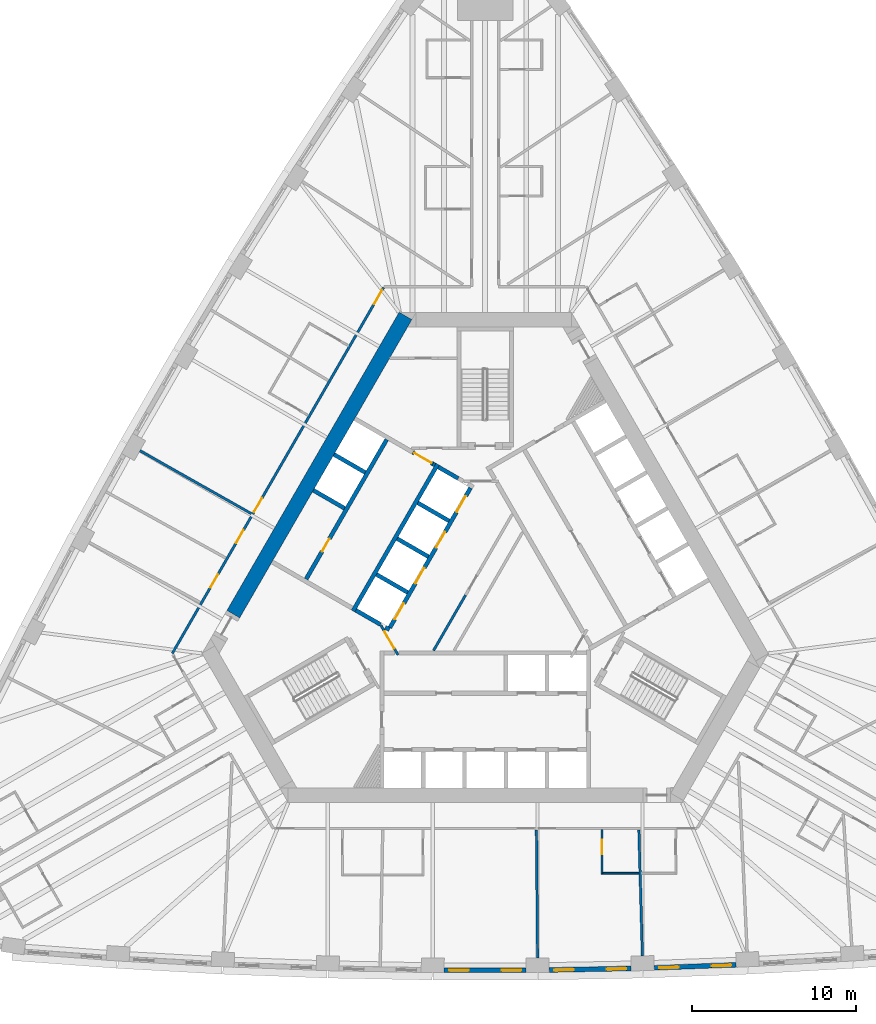
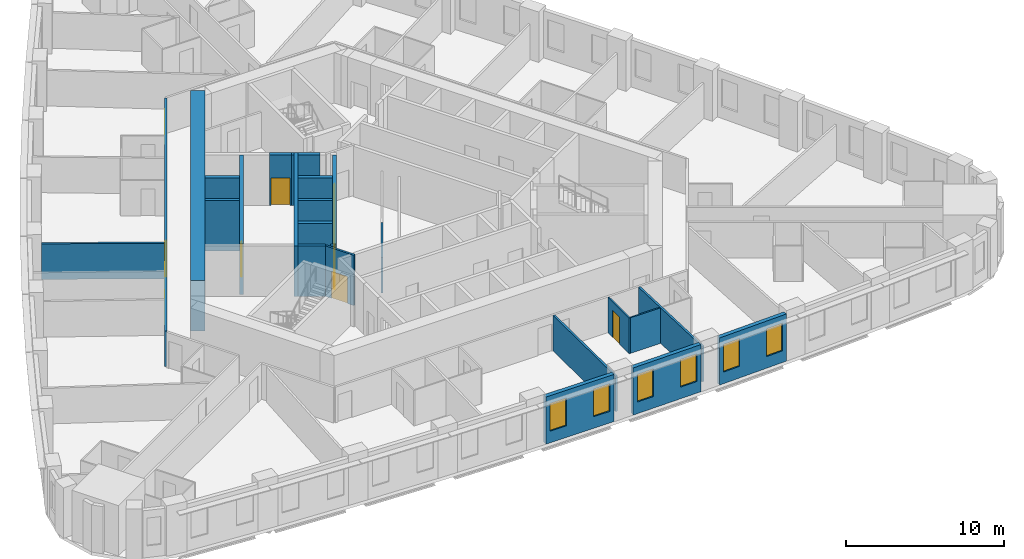
# One storey, part 5 of 12: 25 walls, 12 doors, 6 windows, 18 openings.
"""IFC4 building model written with IfcOpenShell, lengths in metres."""

from ifc_helpers import new_model, si_unit, direction, frame, frame_2d, origin, place, context, subcontext, project, spatial, polyline, rectangle, outline, extrude, material, layer, layer_set, type_object, element, fill, save


model = new_model("IFC4")

# Units and contexts
model_context = context("Model", 3, precision=1e-05, world=origin(), true_north=direction((0.0, 1.0)))
body_context = subcontext(model_context, "Body", "Model", "MODEL_VIEW")
ifc_project = project(units=[si_unit("LENGTHUNIT", "METRE"), si_unit("AREAUNIT", "SQUARE_METRE"), si_unit("VOLUMEUNIT", "CUBIC_METRE"), si_unit("PLANEANGLEUNIT", "RADIAN"), si_unit("MASSUNIT", "GRAM", prefix="KILO")], contexts=[model_context])

# Site, building, storey
site_placement = place(None, origin())
site = spatial("IfcSite", under=ifc_project, at=site_placement, CompositionType="ELEMENT")
building_placement = place(site_placement, origin())
building = spatial("IfcBuilding", under=site, at=building_placement, Name="Mestral Congress Tower", CompositionType="ELEMENT")
storey_placement = place(building_placement, frame((0.0, 0.0, 66.60009765625)))
storey = spatial("IfcBuildingStorey", under=building, at=storey_placement, Name="L15", CompositionType="ELEMENT", Elevation=66.60009765625)

# Walls
ifc_material_1 = material(Name="Fire-rated board partition")
ifc_layer_1 = layer(ifc_material_1, 0.14990234375)
ifc_layer_set_1 = layer_set([ifc_layer_1], Name="Fire-rated board partition")
wall_type_1 = type_object("IfcWallType", Name="Core partition 150", PredefinedType="PARTITIONING", material=ifc_layer_set_1)
wall_1_placement = place(storey_placement, frame((-3.146728515625, -3.71826171875, 0.0), z_axis=(0.0, 0.0, 1.0), x_axis=(0.500010131483, 0.866019554291, 0.0)))
element("IfcWall", 1, at=wall_1_placement, inside=storey, type_object=wall_type_1, Name="L15 core wall", PredefinedType="PARTITIONING", context=body_context, shape_type="SweptSolid", body=[
    extrude(rectangle(XDim=3.8935546875, YDim=0.14990234375, at=frame_2d((1.94677734375, 0.0))), origin(), (0.0, 0.0, 1.0), 2.75),
])
ifc_material_2 = material(Name="Concrete C60/75", Category="concrete")
ifc_layer_2 = layer(ifc_material_2, 0.89990234375)
ifc_layer_set_2 = layer_set([ifc_layer_2], Name="Concrete C60/75")
wall_type_2 = type_object("IfcWallType", Name="Core wall RC 900", PredefinedType="SOLIDWALL", material=ifc_layer_set_2)
wall_2_placement = place(storey_placement, frame((-15.359619140625, -1.50341796875, 0.0), z_axis=(0.0, 0.0, 1.0), x_axis=(0.50000389221, 0.866023156604, 0.0)))
element("IfcWall", 2, at=wall_2_placement, inside=storey, type_object=wall_type_2, Name="L15 core wall", PredefinedType="SOLIDWALL", context=body_context, shape_type="SweptSolid", body=[
    extrude(rectangle(XDim=21.000244140625, YDim=0.89990234375, at=frame_2d((10.5, 0.0))), origin(), (0.0, 0.0, 1.0), 3.89990234375),
])

# Wall, openings, windows
ifc_material_3 = material(Name="Precast concrete C40/50 with limestone facing", Category="masonry")
ifc_layer_3 = layer(ifc_material_3, 0.2900390625)
ifc_layer_set_3 = layer_set([ifc_layer_3], Name="Precast concrete C40/50 with limestone facing")
wall_type_3 = type_object("IfcWallType", Name="Facade stone wall 290", PredefinedType="SOLIDWALL", material=ifc_layer_set_3)
wall_3_placement = place(storey_placement, frame((-2.4990234375, -23.21826171875, 0.0), z_axis=(0.0, 0.0, 1.0), x_axis=(1.0, 0.0, 0.0)))
wall_3 = element("IfcWall", 3, at=wall_3_placement, inside=storey, type_object=wall_type_3, Name="Facade wall F0-04", PredefinedType="SOLIDWALL", context=body_context, shape_type="SweptSolid", body=[
    extrude(rectangle(XDim=4.998046875, YDim=0.2900390625, at=frame_2d((2.4990234375, 0.0))), origin(), (0.0, 0.0, 1.0), 3.64990234375),
])
opening_1_placement = place(wall_3_placement, frame((0.297119140625, 0.0, 0.89990234375)))
opening_1 = element("IfcOpeningElement", 4, at=opening_1_placement, cuts=wall_3, Name="Opening W1", PredefinedType="OPENING", context=body_context, shape_type="SweptSolid", body=[
    extrude(rectangle(XDim=1.199951171875, YDim=2.14990234375, at=frame_2d((0.60009765625, 1.074951171875))), frame((0.0, 0.155029296875, 0.0), z_axis=(0.0, -1.0, 0.0), x_axis=(1.0, 0.0, 0.0)), (0.0, 0.0, 1.0), 0.31005859375),
])
opening_2_placement = place(wall_3_placement, frame((3.501220703125, 0.0, 0.89990234375)))
opening_2 = element("IfcOpeningElement", 5, at=opening_2_placement, cuts=wall_3, Name="Opening W1", PredefinedType="OPENING", context=body_context, shape_type="SweptSolid", body=[
    extrude(rectangle(XDim=1.199951171875, YDim=2.14990234375, at=frame_2d((0.60009765625, 1.074951171875))), frame((0.0, 0.155029296875, 0.0), z_axis=(0.0, -1.0, 0.0), x_axis=(1.0, 0.0, 0.0)), (0.0, 0.0, 1.0), 0.31005859375),
])
ifc_material_4 = material(Name="Clear low-emissivity double glazing", Category="glass")
window_type = type_object("IfcWindowType", Name="Facade punched window 1200 x 2150 sill 900", PartitioningType="DOUBLE_PANEL_VERTICAL", PredefinedType="WINDOW", material=ifc_material_4)
window_1_placement = place(opening_1_placement, origin())
window_1 = element("IfcWindow", 6, at=window_1_placement, inside=storey, type_object=window_type, Name="Window F0-04a", OverallHeight=2.14990234375, OverallWidth=1.199951171875, PartitioningType="DOUBLE_PANEL_VERTICAL", PredefinedType="WINDOW", context=body_context, shape_type="SweptSolid", body=[
    extrude(rectangle(XDim=1.199951171875, YDim=2.14990234375, at=frame_2d((0.60009765625, 1.074951171875))), frame((0.0, 0.01513671875, 0.0), z_axis=(0.0, -1.0, 0.0), x_axis=(1.0, 0.0, 0.0)), (0.0, 0.0, 1.0), 0.06005859375),
])
fill(opening_1, window_1)
window_2_placement = place(opening_2_placement, origin())
window_2 = element("IfcWindow", 7, at=window_2_placement, inside=storey, type_object=window_type, Name="Window F0-04b", OverallHeight=2.14990234375, OverallWidth=1.199951171875, PartitioningType="DOUBLE_PANEL_VERTICAL", PredefinedType="WINDOW", context=body_context, shape_type="SweptSolid", body=[
    extrude(rectangle(XDim=1.199951171875, YDim=2.14990234375, at=frame_2d((0.60009765625, 1.074951171875))), frame((0.0, 0.01513671875, 0.0), z_axis=(0.0, -1.0, 0.0), x_axis=(1.0, 0.0, 0.0)), (0.0, 0.0, 1.0), 0.06005859375),
])
fill(opening_2, window_2)

wall_4_placement = place(storey_placement, frame((3.90625, -23.205078125, 0.0), z_axis=(0.0, 0.0, 1.0), x_axis=(0.999829529479, 0.018463801951, 0.0)))
wall_4 = element("IfcWall", 8, at=wall_4_placement, inside=storey, type_object=wall_type_3, Name="Facade wall F0-05", PredefinedType="SOLIDWALL", context=body_context, shape_type="SweptSolid", body=[
    extrude(rectangle(XDim=4.998046875, YDim=0.2900390625, at=frame_2d((2.4990234375, 0.0))), origin(), (0.0, 0.0, 1.0), 3.64990234375),
])
opening_3_placement = place(wall_4_placement, frame((0.297119140625, 0.0, 0.89990234375)))
opening_3 = element("IfcOpeningElement", 9, at=opening_3_placement, cuts=wall_4, Name="Opening W1", PredefinedType="OPENING", context=body_context, shape_type="SweptSolid", body=[
    extrude(rectangle(XDim=1.199951171875, YDim=2.14990234375, at=frame_2d((0.60009765625, 1.074951171875))), frame((0.0, 0.155029296875, 0.0), z_axis=(0.0, -1.0, 0.0), x_axis=(1.0, 0.0, 0.0)), (0.0, 0.0, 1.0), 0.31005859375),
])
opening_4_placement = place(wall_4_placement, frame((3.501220703125, 0.0, 0.89990234375)))
opening_4 = element("IfcOpeningElement", 10, at=opening_4_placement, cuts=wall_4, Name="Opening W1", PredefinedType="OPENING", context=body_context, shape_type="SweptSolid", body=[
    extrude(rectangle(XDim=1.199951171875, YDim=2.14990234375, at=frame_2d((0.60009765625, 1.074951171875))), frame((0.0, 0.155029296875, 0.0), z_axis=(0.0, -1.0, 0.0), x_axis=(1.0, 0.0, 0.0)), (0.0, 0.0, 1.0), 0.31005859375),
])
window_3_placement = place(opening_3_placement, origin())
window_3 = element("IfcWindow", 11, at=window_3_placement, inside=storey, type_object=window_type, Name="Window F0-05a", OverallHeight=2.14990234375, OverallWidth=1.199951171875, PartitioningType="DOUBLE_PANEL_VERTICAL", PredefinedType="WINDOW", context=body_context, shape_type="SweptSolid", body=[
    extrude(rectangle(XDim=1.199951171875, YDim=2.14990234375, at=frame_2d((0.60009765625, 1.074951171875))), frame((0.0, 0.01513671875, 0.0), z_axis=(0.0, -1.0, 0.0), x_axis=(1.0, 0.0, 0.0)), (0.0, 0.0, 1.0), 0.06005859375),
])
fill(opening_3, window_3)
window_4_placement = place(opening_4_placement, origin())
window_4 = element("IfcWindow", 12, at=window_4_placement, inside=storey, type_object=window_type, Name="Window F0-05b", OverallHeight=2.14990234375, OverallWidth=1.199951171875, PartitioningType="DOUBLE_PANEL_VERTICAL", PredefinedType="WINDOW", context=body_context, shape_type="SweptSolid", body=[
    extrude(rectangle(XDim=1.199951171875, YDim=2.14990234375, at=frame_2d((0.60009765625, 1.074951171875))), frame((0.0, 0.01513671875, 0.0), z_axis=(0.0, -1.0, 0.0), x_axis=(1.0, 0.0, 0.0)), (0.0, 0.0, 1.0), 0.06005859375),
])
fill(opening_4, window_4)

wall_5_placement = place(storey_placement, frame((10.310302734375, -23.07373046875, 0.0), z_axis=(0.0, 0.0, 1.0), x_axis=(0.999317974969, 0.036926750529, 0.0)))
wall_5 = element("IfcWall", 13, at=wall_5_placement, inside=storey, type_object=wall_type_3, Name="Facade wall F0-06", PredefinedType="SOLIDWALL", context=body_context, shape_type="SweptSolid", body=[
    extrude(rectangle(XDim=4.998291015625, YDim=0.2900390625, at=frame_2d((2.4990234375, 0.0))), origin(), (0.0, 0.0, 1.0), 3.64990234375),
])
opening_5_placement = place(wall_5_placement, frame((0.297119140625, 0.0, 0.89990234375)))
opening_5 = element("IfcOpeningElement", 14, at=opening_5_placement, cuts=wall_5, Name="Opening W1", PredefinedType="OPENING", context=body_context, shape_type="SweptSolid", body=[
    extrude(rectangle(XDim=1.199951171875, YDim=2.14990234375, at=frame_2d((0.60009765625, 1.074951171875))), frame((0.0, 0.155029296875, 0.0), z_axis=(0.0, -1.0, 0.0), x_axis=(1.0, 0.0, 0.0)), (0.0, 0.0, 1.0), 0.31005859375),
])
opening_6_placement = place(wall_5_placement, frame((3.501220703125, 0.0, 0.89990234375)))
opening_6 = element("IfcOpeningElement", 15, at=opening_6_placement, cuts=wall_5, Name="Opening W1", PredefinedType="OPENING", context=body_context, shape_type="SweptSolid", body=[
    extrude(rectangle(XDim=1.199951171875, YDim=2.14990234375, at=frame_2d((0.60009765625, 1.074951171875))), frame((0.0, 0.155029296875, 0.0), z_axis=(0.0, -1.0, 0.0), x_axis=(1.0, 0.0, 0.0)), (0.0, 0.0, 1.0), 0.31005859375),
])
window_5_placement = place(opening_5_placement, origin())
window_5 = element("IfcWindow", 16, at=window_5_placement, inside=storey, type_object=window_type, Name="Window F0-06a", OverallHeight=2.14990234375, OverallWidth=1.199951171875, PartitioningType="DOUBLE_PANEL_VERTICAL", PredefinedType="WINDOW", context=body_context, shape_type="SweptSolid", body=[
    extrude(rectangle(XDim=1.199951171875, YDim=2.14990234375, at=frame_2d((0.60009765625, 1.074951171875))), frame((0.0, 0.01513671875, 0.0), z_axis=(0.0, -1.0, 0.0), x_axis=(1.0, 0.0, 0.0)), (0.0, 0.0, 1.0), 0.06005859375),
])
fill(opening_5, window_5)
window_6_placement = place(opening_6_placement, origin())
window_6 = element("IfcWindow", 17, at=window_6_placement, inside=storey, type_object=window_type, Name="Window F0-06b", OverallHeight=2.14990234375, OverallWidth=1.199951171875, PartitioningType="DOUBLE_PANEL_VERTICAL", PredefinedType="WINDOW", context=body_context, shape_type="SweptSolid", body=[
    extrude(rectangle(XDim=1.199951171875, YDim=2.14990234375, at=frame_2d((0.60009765625, 1.074951171875))), frame((0.0, 0.01513671875, 0.0), z_axis=(0.0, -1.0, 0.0), x_axis=(1.0, 0.0, 0.0)), (0.0, 0.0, 1.0), 0.06005859375),
])
fill(opening_6, window_6)

# Wall, opening, door
ifc_material_5 = material(Name="Gypsum board partition on metal studs with mineral wool", Category="composite")
ifc_layer_4 = layer(ifc_material_5, 0.10009765625)
ifc_layer_set_4 = layer_set([ifc_layer_4], Name="Gypsum board partition on metal studs with mineral wool")
wall_type_4 = type_object("IfcWallType", Name="Hotel partition wall 100", PredefinedType="PARTITIONING", material=ifc_layer_set_4)
wall_6_placement = place(storey_placement, frame((7.119140625, -14.64990234375, 0.0), z_axis=(0.0, 0.0, 1.0), x_axis=(0.0, -1.0, 0.0)))
wall_6 = element("IfcWall", 18, at=wall_6_placement, inside=storey, type_object=wall_type_4, Name="L15-h-pod04a", PredefinedType="PARTITIONING", context=body_context, shape_type="SweptSolid", body=[
    extrude(rectangle(XDim=2.7001953125, YDim=0.10009765625, at=frame_2d((1.35009765625, 0.0))), origin(), (0.0, 0.0, 1.0), 2.75),
])
opening_7_placement = place(wall_6_placement, frame((0.60009765625, 0.0, 0.0)))
opening_7 = element("IfcOpeningElement", 19, at=opening_7_placement, cuts=wall_6, Name="Opening H04-008", PredefinedType="OPENING", context=body_context, shape_type="SweptSolid", body=[
    extrude(rectangle(XDim=0.89990234375, YDim=2.10009765625, at=frame_2d((0.449951171875, 1.050048828125))), frame((0.0, 0.06005859375, 0.0), z_axis=(0.0, -1.0, 0.0), x_axis=(1.0, 0.0, 0.0)), (0.0, 0.0, 1.0), 0.1201171875),
])
ifc_material_6 = material(Name="Timber veneer door leaf in timber frame", Category="wood")
door_type_1 = type_object("IfcDoorType", Name="Bathroom door 900", OperationType="SINGLE_SWING_LEFT", PredefinedType="DOOR", material=ifc_material_6)
door_1_placement = place(opening_7_placement, origin())
door_1 = element("IfcDoor", 20, at=door_1_placement, inside=storey, type_object=door_type_1, Name="L15-h-d008", OperationType="SINGLE_SWING_LEFT", OverallHeight=2.10009765625, OverallWidth=0.89990234375, PredefinedType="DOOR", context=body_context, shape_type="SweptSolid", body=[
    extrude(rectangle(XDim=0.89990234375, YDim=2.10009765625, at=frame_2d((0.449951171875, 1.050048828125))), frame((0.0, 0.02490234375, 0.0), z_axis=(0.0, -1.0, 0.0), x_axis=(1.0, 0.0, 0.0)), (0.0, 0.0, 1.0), 0.050048828125),
])
fill(opening_7, door_1)

# Wall
wall_7_placement = place(storey_placement, frame((7.169189453125, -17.300048828125, 0.0), z_axis=(0.0, 0.0, 1.0), x_axis=(1.0, 0.0, 0.0)))
element("IfcWall", 21, at=wall_7_placement, inside=storey, type_object=wall_type_4, Name="L15-h-pod04b", PredefinedType="PARTITIONING", context=body_context, shape_type="SweptSolid", body=[
    extrude(rectangle(XDim=2.199951171875, YDim=0.10009765625, at=frame_2d((1.10009765625, 0.0))), origin(), (0.0, 0.0, 1.0), 2.75),
])

# Wall, openings, doors
ifc_layer_5 = layer(ifc_material_5, 0.14990234375)
ifc_layer_set_5 = layer_set([ifc_layer_5], Name="Gypsum board partition on metal studs with mineral wool")
wall_type_5 = type_object("IfcWallType", Name="Hotel partition wall 150", PredefinedType="PARTITIONING", material=ifc_layer_set_5)
wall_8_placement = place(storey_placement, frame((-19.081298828125, -3.89990234375, 0.0), z_axis=(0.0, 0.0, 1.0), x_axis=(0.499998313975, 0.866026377209, 0.0)))
wall_8 = element("IfcWall", 22, at=wall_8_placement, inside=storey, type_object=wall_type_5, Name="L15-h-cw08", PredefinedType="PARTITIONING", context=body_context, shape_type="SweptSolid", body=[
    extrude(rectangle(XDim=25.76611328125, YDim=0.14990234375, at=frame_2d((12.883056640625, 0.0))), origin(), (0.0, 0.0, 1.0), 2.75),
])
opening_8_placement = place(wall_8_placement, frame((24.58642578125, 0.0, 0.0)))
opening_8 = element("IfcOpeningElement", 23, at=opening_8_placement, cuts=wall_8, Name="Opening H04-035", PredefinedType="OPENING", context=body_context, shape_type="SweptSolid", body=[
    extrude(rectangle(XDim=1.0, YDim=2.10009765625, at=frame_2d((0.5, 1.050048828125))), frame((0.0, 0.0849609375, 0.0), z_axis=(0.0, -1.0, 0.0), x_axis=(1.0, 0.0, 0.0)), (0.0, 0.0, 1.0), 0.169921875),
])
opening_9_placement = place(wall_8_placement, frame((9.94775390625, 0.0, 0.0)))
opening_9 = element("IfcOpeningElement", 24, at=opening_9_placement, cuts=wall_8, Name="Opening H04-037", PredefinedType="OPENING", context=body_context, shape_type="SweptSolid", body=[
    extrude(rectangle(XDim=1.0, YDim=2.10009765625, at=frame_2d((0.5, 1.050048828125))), frame((0.0, 0.0849609375, 0.0), z_axis=(0.0, -1.0, 0.0), x_axis=(1.0, 0.0, 0.0)), (0.0, 0.0, 1.0), 0.169921875),
])
opening_10_placement = place(wall_8_placement, frame((7.7822265625, 0.0, 0.0)))
opening_10 = element("IfcOpeningElement", 25, at=opening_10_placement, cuts=wall_8, Name="Opening H04-039", PredefinedType="OPENING", context=body_context, shape_type="SweptSolid", body=[
    extrude(rectangle(XDim=0.89990234375, YDim=2.10009765625, at=frame_2d((0.449951171875, 1.050048828125))), frame((0.0, 0.0849609375, 0.0), z_axis=(0.0, -1.0, 0.0), x_axis=(1.0, 0.0, 0.0)), (0.0, 0.0, 1.0), 0.169921875),
])
opening_11_placement = place(wall_8_placement, frame((4.65771484375, 0.0, 0.0)))
opening_11 = element("IfcOpeningElement", 26, at=opening_11_placement, cuts=wall_8, Name="Opening H04-040", PredefinedType="OPENING", context=body_context, shape_type="SweptSolid", body=[
    extrude(rectangle(XDim=0.89990234375, YDim=2.10009765625, at=frame_2d((0.449951171875, 1.050048828125))), frame((0.0, 0.0849609375, 0.0), z_axis=(0.0, -1.0, 0.0), x_axis=(1.0, 0.0, 0.0)), (0.0, 0.0, 1.0), 0.169921875),
])
ifc_material_7 = material(Name="Timber veneer door leaf in metal frame", Category="wood")
door_type_2 = type_object("IfcDoorType", Name="Guest room entrance door 1000", OperationType="SINGLE_SWING_LEFT", PredefinedType="DOOR", material=ifc_material_7)
door_2_placement = place(opening_8_placement, origin())
door_2 = element("IfcDoor", 27, at=door_2_placement, inside=storey, type_object=door_type_2, Name="L15-h-d035", OperationType="SINGLE_SWING_RIGHT", OverallHeight=2.10009765625, OverallWidth=1.0, PredefinedType="DOOR", context=body_context, shape_type="SweptSolid", body=[
    extrude(rectangle(XDim=1.0, YDim=2.10009765625, at=frame_2d((0.5, 1.050048828125))), frame((0.0, 0.02490234375, 0.0), z_axis=(0.0, -1.0, 0.0), x_axis=(1.0, 0.0, 0.0)), (0.0, 0.0, 1.0), 0.050048828125),
])
fill(opening_8, door_2)
door_3_placement = place(opening_9_placement, origin())
door_3 = element("IfcDoor", 28, at=door_3_placement, inside=storey, type_object=door_type_2, Name="L15-h-d037", OperationType="SINGLE_SWING_LEFT", OverallHeight=2.10009765625, OverallWidth=1.0, PredefinedType="DOOR", context=body_context, shape_type="SweptSolid", body=[
    extrude(rectangle(XDim=1.0, YDim=2.10009765625, at=frame_2d((0.5, 1.050048828125))), frame((0.0, 0.02490234375, 0.0), z_axis=(0.0, -1.0, 0.0), x_axis=(1.0, 0.0, 0.0)), (0.0, 0.0, 1.0), 0.050048828125),
])
fill(opening_9, door_3)
door_type_3 = type_object("IfcDoorType", Name="Service room door 900", OperationType="SINGLE_SWING_LEFT", PredefinedType="DOOR", material=ifc_material_7)
door_4_placement = place(opening_10_placement, origin())
door_4 = element("IfcDoor", 29, at=door_4_placement, inside=storey, type_object=door_type_3, Name="L15-h-d039", OperationType="SINGLE_SWING_RIGHT", OverallHeight=2.10009765625, OverallWidth=0.89990234375, PredefinedType="DOOR", context=body_context, shape_type="SweptSolid", body=[
    extrude(rectangle(XDim=0.89990234375, YDim=2.10009765625, at=frame_2d((0.449951171875, 1.050048828125))), frame((0.0, 0.02490234375, 0.0), z_axis=(0.0, -1.0, 0.0), x_axis=(1.0, 0.0, 0.0)), (0.0, 0.0, 1.0), 0.050048828125),
])
fill(opening_10, door_4)
door_5_placement = place(opening_11_placement, origin())
door_5 = element("IfcDoor", 30, at=door_5_placement, inside=storey, type_object=door_type_3, Name="L15-h-d040", OperationType="SINGLE_SWING_LEFT", OverallHeight=2.10009765625, OverallWidth=0.89990234375, PredefinedType="DOOR", context=body_context, shape_type="SweptSolid", body=[
    extrude(rectangle(XDim=0.89990234375, YDim=2.10009765625, at=frame_2d((0.449951171875, 1.050048828125))), frame((0.0, 0.02490234375, 0.0), z_axis=(0.0, -1.0, 0.0), x_axis=(1.0, 0.0, 0.0)), (0.0, 0.0, 1.0), 0.050048828125),
])
fill(opening_11, door_5)

# Walls
for number, where, z_axis, x_axis, name in (
    (31, (-21.051513671875, 8.464111328125, 0.0), (0.0, 0.0, 1.0), (0.87059371954, -0.492002617368, 0.0), "L15-h-pw06"),
    (32, (3.19580078125, -22.463134765625, 0.0), (0.0, 0.0, 1.0), (-0.00926060032, 0.999957119721, 0.0), "L15-h-pw14"),
):
    element("IfcWall", number, at=place(storey_placement, frame(where, z_axis=z_axis, x_axis=x_axis)), inside=storey, type_object=wall_type_5, Name=name, PredefinedType="PARTITIONING", context=body_context, shape_type="SweptSolid", body=[
        extrude(rectangle(XDim=7.803466796875, YDim=0.14990234375, at=frame_2d((3.90185546875, 0.0))), origin(), (0.0, 0.0, 1.0), 2.75),
    ])
wall_9_placement = place(storey_placement, frame((9.586181640625, -22.34521484375, 0.0), z_axis=(0.0, 0.0, 1.0), x_axis=(-0.027722115646, 0.999615668297, 0.0)))
element("IfcWall", 33, at=wall_9_placement, inside=storey, type_object=wall_type_5, Name="L15-h-pw17", PredefinedType="PARTITIONING", context=body_context, shape_type="SweptSolid", body=[
    extrude(rectangle(XDim=7.688232421875, YDim=0.14990234375, at=frame_2d((3.84423828125, 0.0))), origin(), (0.0, 0.0, 1.0), 2.75),
])
ifc_layer_6 = layer(ifc_material_2, 0.25)
ifc_layer_set_6 = layer_set([ifc_layer_6], Name="Concrete C60/75")
wall_type_6 = type_object("IfcWallType", Name="Shaft wall RC 250", PredefinedType="SOLIDWALL", material=ifc_layer_set_6)
wall_10_placement = place(storey_placement, frame((-8.06005859375, -1.310546875, 0.0), z_axis=(0.0, 0.0, 1.0), x_axis=(0.50000273126, 0.866023826885, 0.0)))
element("IfcWall", 34, at=wall_10_placement, inside=storey, type_object=wall_type_6, Name="L15 core wall", PredefinedType="SOLIDWALL", context=body_context, shape_type="SweptSolid", body=[
    extrude(rectangle(XDim=10.330078125, YDim=0.25, at=frame_2d((5.1650390625, 0.0))), origin(), (0.0, 0.0, 1.0), 3.89990234375),
])
wall_11_placement = place(storey_placement, frame((-1.6474609375, 6.770751953125, 0.0), z_axis=(0.0, 0.0, 1.0), x_axis=(-0.865971728693, 0.500092956464, 0.0)))
element("IfcWall", 35, at=wall_11_placement, inside=storey, type_object=wall_type_6, Name="L15 core wall", PredefinedType="SOLIDWALL", context=body_context, shape_type="SweptSolid", body=[
    extrude(rectangle(XDim=1.387939453125, YDim=0.25, at=frame_2d((0.69384765625, 0.0))), origin(), (0.0, 0.0, 1.0), 3.89990234375),
])
for number, where, z_axis, x_axis, name in (
    (36, (-2.2041015625, 4.182373046875, 0.0), (0.0, 0.0, 1.0), (-0.866008176907, 0.50002983664, 0.0), "L15 core wall"),
    (37, (-5.369384765625, 3.10009765625, 0.0), (0.0, 0.0, 1.0), (0.866008176907, -0.50002983664, 0.0), "L15 core wall"),
    (38, (-4.72412109375, -0.182373046875, 0.0), (0.0, 0.0, 1.0), (-0.866008176907, 0.50002983664, 0.0), "L15 core wall"),
):
    element("IfcWall", number, at=place(storey_placement, frame(where, z_axis=z_axis, x_axis=x_axis)), inside=storey, type_object=wall_type_6, Name=name, PredefinedType="SOLIDWALL", context=body_context, shape_type="SweptSolid", body=[
        extrude(rectangle(XDim=2.199951171875, YDim=0.25, at=frame_2d((1.10009765625, 0.0))), origin(), (0.0, 0.0, 1.0), 3.89990234375),
    ])
wall_12_placement = place(storey_placement, frame((-6.088134765625, -2.3046875, 0.0), z_axis=(0.0, 0.0, 1.0), x_axis=(0.866059450854, -0.499941024108, 0.0)))
element("IfcWall", 39, at=wall_12_placement, inside=storey, type_object=wall_type_6, Name="L15 core wall", PredefinedType="SOLIDWALL", context=body_context, shape_type="SweptSolid", body=[
    extrude(rectangle(XDim=0.2900390625, YDim=0.25, at=frame_2d((0.14501953125, 0.0))), origin(), (0.0, 0.0, 1.0), 3.89990234375),
])
wall_13_placement = place(storey_placement, frame((-7.889404296875, -1.2646484375, 0.0), z_axis=(0.0, 0.0, 1.0), x_axis=(0.865986741702, -0.500066958712, 0.0)))
element("IfcWall", 40, at=wall_13_placement, inside=storey, type_object=wall_type_6, Name="L15 core wall", PredefinedType="SOLIDWALL", context=body_context, shape_type="SweptSolid", body=[
    extrude(rectangle(XDim=1.738037109375, YDim=0.25, at=frame_2d((0.869140625, 0.0))), origin(), (0.0, 0.0, 1.0), 3.89990234375),
])
wall_14_placement = place(storey_placement, origin())
element("IfcWall", 41, at=wall_14_placement, inside=storey, type_object=wall_type_6, Name="L15 core wall", PredefinedType="SOLIDWALL", context=body_context, shape_type="SweptSolid", body=[
    extrude(outline(polyline([(-3.12841796875, 7.4814453125), (-3.2587890625, 7.556640625), (-3.1337890625, 7.773193359375), (-3.00341796875, 7.697998046875), (-3.12841796875, 7.4814453125)])), origin(), (0.0, 0.0, 1.0), 3.89990234375),
])
for number, where, z_axis, x_axis, name in (
    (42, (-8.57373046875, 4.949951171875, 0.0), (0.0, 0.0, 1.0), (-0.866008176907, 0.50002983664, 0.0), "L15 core wall"),
    (43, (-7.313720703125, 7.13232421875, 0.0), (0.0, 0.0, 1.0), (-0.866008176907, 0.50002983664, 0.0), "L15 core wall"),
):
    element("IfcWall", number, at=place(storey_placement, frame(where, z_axis=z_axis, x_axis=x_axis)), inside=storey, type_object=wall_type_6, Name=name, PredefinedType="SOLIDWALL", context=body_context, shape_type="SweptSolid", body=[
        extrude(rectangle(XDim=2.199951171875, YDim=0.25, at=frame_2d((1.10009765625, 0.0))), origin(), (0.0, 0.0, 1.0), 3.89990234375),
    ])

# Wall, opening, door
wall_15_placement = place(storey_placement, frame((-6.0078125, 9.14404296875, 0.0), z_axis=(0.0, 0.0, 1.0), x_axis=(-0.500006956611, -0.866021387346, 0.0)))
wall_15 = element("IfcWall", 44, at=wall_15_placement, inside=storey, type_object=wall_type_6, Name="L15 door wall", PredefinedType="SOLIDWALL", context=body_context, shape_type="SweptSolid", body=[
    extrude(rectangle(XDim=9.829833984375, YDim=0.25, at=frame_2d((4.9150390625, 0.0))), origin(), (0.0, 0.0, 1.0), 3.89990234375),
])
opening_12_placement = place(wall_15_placement, frame((6.985107421875, 0.0, 0.0)))
opening_12 = element("IfcOpeningElement", 45, at=opening_12_placement, cuts=wall_15, Name="Opening SR-NWA2", PredefinedType="OPENING", context=body_context, shape_type="SweptSolid", body=[
    extrude(rectangle(XDim=0.89990234375, YDim=2.10009765625, at=frame_2d((0.449951171875, 1.050048828125))), frame((0.0, 0.135009765625, 0.0), z_axis=(0.0, -1.0, 0.0), x_axis=(1.0, 0.0, 0.0)), (0.0, 0.0, 1.0), 0.27001953125),
])
ifc_material_8 = material(Name="Fire-rated steel door set", Category="steel")
door_type_4 = type_object("IfcDoorType", Name="Core door SR 900x2100", OperationType="SINGLE_SWING_LEFT", PredefinedType="DOOR", material=ifc_material_8)
door_6_placement = place(opening_12_placement, origin())
door_6 = element("IfcDoor", 46, at=door_6_placement, inside=storey, type_object=door_type_4, Name="Door SR-NWA2", OperationType="SINGLE_SWING_LEFT", OverallHeight=2.10009765625, OverallWidth=0.89990234375, PredefinedType="DOOR", context=body_context, shape_type="SweptSolid", body=[
    extrude(rectangle(XDim=0.89990234375, YDim=2.10009765625, at=frame_2d((0.449951171875, 1.050048828125))), frame((0.0, 0.02490234375, 0.0), z_axis=(0.0, -1.0, 0.0), x_axis=(1.0, 0.0, 0.0)), (0.0, 0.0, 1.0), 0.050048828125),
])
fill(opening_12, door_6)

# Wall, openings, doors
wall_16_placement = place(storey_placement, frame((-0.898193359375, 6.194091796875, 0.0), z_axis=(0.0, 0.0, 1.0), x_axis=(-0.499996202215, -0.866027596426, 0.0)))
wall_16 = element("IfcWall", 47, at=wall_16_placement, inside=storey, type_object=wall_type_6, Name="L15 door wall", PredefinedType="SOLIDWALL", context=body_context, shape_type="SweptSolid", body=[
    extrude(rectangle(XDim=9.830078125, YDim=0.25, at=frame_2d((4.9150390625, 0.0))), origin(), (0.0, 0.0, 1.0), 3.89990234375),
])
opening_13_placement = place(wall_16_placement, frame((0.5849609375, 0.0, 0.0)))
opening_13 = element("IfcOpeningElement", 48, at=opening_13_placement, cuts=wall_16, Name="Opening LD-NWB1", PredefinedType="OPENING", context=body_context, shape_type="SweptSolid", body=[
    extrude(rectangle(XDim=1.10009765625, YDim=2.10009765625, at=frame_2d((0.550048828125, 1.050048828125))), frame((0.0, 0.135009765625, 0.0), z_axis=(0.0, -1.0, 0.0), x_axis=(1.0, 0.0, 0.0)), (0.0, 0.0, 1.0), 0.27001953125),
])
opening_14_placement = place(wall_16_placement, frame((3.10498046875, 0.0, 0.0)))
opening_14 = element("IfcOpeningElement", 49, at=opening_14_placement, cuts=wall_16, Name="Opening LD-NWB2", PredefinedType="OPENING", context=body_context, shape_type="SweptSolid", body=[
    extrude(rectangle(XDim=1.10009765625, YDim=2.10009765625, at=frame_2d((0.550048828125, 1.050048828125))), frame((0.0, 0.135009765625, 0.0), z_axis=(0.0, -1.0, 0.0), x_axis=(1.0, 0.0, 0.0)), (0.0, 0.0, 1.0), 0.27001953125),
])
opening_15_placement = place(wall_16_placement, frame((5.625, 0.0, 0.0)))
opening_15 = element("IfcOpeningElement", 50, at=opening_15_placement, cuts=wall_16, Name="Opening LD-NWB3", PredefinedType="OPENING", context=body_context, shape_type="SweptSolid", body=[
    extrude(rectangle(XDim=1.10009765625, YDim=2.10009765625, at=frame_2d((0.550048828125, 1.050048828125))), frame((0.0, 0.135009765625, 0.0), z_axis=(0.0, -1.0, 0.0), x_axis=(1.0, 0.0, 0.0)), (0.0, 0.0, 1.0), 0.27001953125),
])
opening_16_placement = place(wall_16_placement, frame((8.14501953125, 0.0, 0.0)))
opening_16 = element("IfcOpeningElement", 51, at=opening_16_placement, cuts=wall_16, Name="Opening LD-NWB4", PredefinedType="OPENING", context=body_context, shape_type="SweptSolid", body=[
    extrude(rectangle(XDim=1.10009765625, YDim=2.10009765625, at=frame_2d((0.550048828125, 1.050048828125))), frame((0.0, 0.135009765625, 0.0), z_axis=(0.0, -1.0, 0.0), x_axis=(1.0, 0.0, 0.0)), (0.0, 0.0, 1.0), 0.27001953125),
])
door_type_5 = type_object("IfcDoorType", Name="Core door LD 1100x2100", OperationType="DOUBLE_DOOR_SLIDING", PredefinedType="DOOR", material=ifc_material_8)
door_7_placement = place(opening_13_placement, origin())
door_7 = element("IfcDoor", 52, at=door_7_placement, inside=storey, type_object=door_type_5, Name="Door LD-NWB1", OperationType="DOUBLE_DOOR_SLIDING", OverallHeight=2.10009765625, OverallWidth=1.10009765625, PredefinedType="DOOR", context=body_context, shape_type="SweptSolid", body=[
    extrude(rectangle(XDim=1.10009765625, YDim=2.10009765625, at=frame_2d((0.550048828125, 1.050048828125))), frame((0.0, 0.02490234375, 0.0), z_axis=(0.0, -1.0, 0.0), x_axis=(1.0, 0.0, 0.0)), (0.0, 0.0, 1.0), 0.050048828125),
])
fill(opening_13, door_7)
door_8_placement = place(opening_14_placement, origin())
door_8 = element("IfcDoor", 53, at=door_8_placement, inside=storey, type_object=door_type_5, Name="Door LD-NWB2", OperationType="DOUBLE_DOOR_SLIDING", OverallHeight=2.10009765625, OverallWidth=1.10009765625, PredefinedType="DOOR", context=body_context, shape_type="SweptSolid", body=[
    extrude(rectangle(XDim=1.10009765625, YDim=2.10009765625, at=frame_2d((0.550048828125, 1.050048828125))), frame((0.0, 0.02490234375, 0.0), z_axis=(0.0, -1.0, 0.0), x_axis=(1.0, 0.0, 0.0)), (0.0, 0.0, 1.0), 0.050048828125),
])
fill(opening_14, door_8)
door_9_placement = place(opening_15_placement, origin())
door_9 = element("IfcDoor", 54, at=door_9_placement, inside=storey, type_object=door_type_5, Name="Door LD-NWB3", OperationType="DOUBLE_DOOR_SLIDING", OverallHeight=2.10009765625, OverallWidth=1.10009765625, PredefinedType="DOOR", context=body_context, shape_type="SweptSolid", body=[
    extrude(rectangle(XDim=1.10009765625, YDim=2.10009765625, at=frame_2d((0.550048828125, 1.050048828125))), frame((0.0, 0.02490234375, 0.0), z_axis=(0.0, -1.0, 0.0), x_axis=(1.0, 0.0, 0.0)), (0.0, 0.0, 1.0), 0.050048828125),
])
fill(opening_15, door_9)
door_10_placement = place(opening_16_placement, origin())
door_10 = element("IfcDoor", 55, at=door_10_placement, inside=storey, type_object=door_type_5, Name="Door LD-NWB4", OperationType="DOUBLE_DOOR_SLIDING", OverallHeight=2.10009765625, OverallWidth=1.10009765625, PredefinedType="DOOR", context=body_context, shape_type="SweptSolid", body=[
    extrude(rectangle(XDim=1.10009765625, YDim=2.10009765625, at=frame_2d((0.550048828125, 1.050048828125))), frame((0.0, 0.02490234375, 0.0), z_axis=(0.0, -1.0, 0.0), x_axis=(1.0, 0.0, 0.0)), (0.0, 0.0, 1.0), 0.050048828125),
])
fill(opening_16, door_10)

# Wall, opening, door
wall_17_placement = place(storey_placement, frame((-4.40869140625, 8.364990234375, 0.0), z_axis=(0.0, 0.0, 1.0), x_axis=(0.866034573852, -0.49998411664, 0.0)))
wall_17 = element("IfcWall", 56, at=wall_17_placement, inside=storey, type_object=wall_type_6, Name="L15 door wall", PredefinedType="SOLIDWALL", context=body_context, shape_type="SweptSolid", body=[
    extrude(rectangle(XDim=1.39990234375, YDim=0.25, at=frame_2d((0.699951171875, 0.0))), origin(), (0.0, 0.0, 1.0), 3.89990234375),
])
opening_17_placement = place(wall_17_placement, frame((0.10009765625, 0.0, 0.0)))
opening_17 = element("IfcOpeningElement", 57, at=opening_17_placement, cuts=wall_17, Name="Opening LB2-WL2", PredefinedType="OPENING", context=body_context, shape_type="SweptSolid", body=[
    extrude(rectangle(XDim=1.199951171875, YDim=2.10009765625, at=frame_2d((0.60009765625, 1.050048828125))), frame((0.0, 0.135009765625, 0.0), z_axis=(0.0, -1.0, 0.0), x_axis=(1.0, 0.0, 0.0)), (0.0, 0.0, 1.0), 0.27001953125),
])
door_type_6 = type_object("IfcDoorType", Name="Core door LB 1200x2100", OperationType="SINGLE_SWING_LEFT", PredefinedType="DOOR", material=ifc_material_8)
door_11_placement = place(opening_17_placement, origin())
door_11 = element("IfcDoor", 58, at=door_11_placement, inside=storey, type_object=door_type_6, Name="Door LB2-WL2", OperationType="SINGLE_SWING_LEFT", OverallHeight=2.10009765625, OverallWidth=1.199951171875, PredefinedType="DOOR", context=body_context, shape_type="SweptSolid", body=[
    extrude(rectangle(XDim=1.199951171875, YDim=2.10009765625, at=frame_2d((0.60009765625, 1.050048828125))), frame((0.0, 0.02490234375, 0.0), z_axis=(0.0, -1.0, 0.0), x_axis=(1.0, 0.0, 0.0)), (0.0, 0.0, 1.0), 0.050048828125),
])
fill(opening_17, door_11)

ifc_layer_7 = layer(ifc_material_2, 0.14990234375)
ifc_layer_set_7 = layer_set([ifc_layer_7], Name="Concrete C60/75")
wall_type_7 = type_object("IfcWallType", Name="Shaft wall RC 250 door-wall 150", PredefinedType="SOLIDWALL", material=ifc_layer_set_7)
wall_18_placement = place(storey_placement, frame((-5.3173828125, -3.98974609375, 0.0), z_axis=(0.0, 0.0, 1.0), x_axis=(-0.500027713859, 0.866009402589, 0.0)))
wall_18 = element("IfcWall", 59, at=wall_18_placement, inside=storey, type_object=wall_type_7, Name="L15 door wall", PredefinedType="PARTITIONING", context=body_context, shape_type="SweptSolid", body=[
    extrude(rectangle(XDim=2.10009765625, YDim=0.14990234375, at=frame_2d((1.050048828125, 0.0))), origin(), (0.0, 0.0, 1.0), 3.89990234375),
])
opening_18_placement = place(wall_18_placement, frame((0.449951171875, 0.0, 0.0)))
opening_18 = element("IfcOpeningElement", 60, at=opening_18_placement, cuts=wall_18, Name="Opening CD3-FF", PredefinedType="OPENING", context=body_context, shape_type="SweptSolid", body=[
    extrude(rectangle(XDim=1.199951171875, YDim=2.10009765625, at=frame_2d((0.60009765625, 1.050048828125))), frame((0.0, 0.0849609375, 0.0), z_axis=(0.0, -1.0, 0.0), x_axis=(1.0, 0.0, 0.0)), (0.0, 0.0, 1.0), 0.169921875),
])
door_type_7 = type_object("IfcDoorType", Name="Core door CD 1200x2100", OperationType="SINGLE_SWING_LEFT", PredefinedType="DOOR", material=ifc_material_8)
door_12_placement = place(opening_18_placement, origin())
door_12 = element("IfcDoor", 61, at=door_12_placement, inside=storey, type_object=door_type_7, Name="Door CD3-FF", OperationType="SINGLE_SWING_LEFT", OverallHeight=2.10009765625, OverallWidth=1.199951171875, PredefinedType="DOOR", context=body_context, shape_type="SweptSolid", body=[
    extrude(rectangle(XDim=1.199951171875, YDim=2.10009765625, at=frame_2d((0.60009765625, 1.050048828125))), frame((0.0, 0.02490234375, 0.0), z_axis=(0.0, -1.0, 0.0), x_axis=(1.0, 0.0, 0.0)), (0.0, 0.0, 1.0), 0.050048828125),
])
fill(opening_18, door_12)

save(model, "model.ifc")
